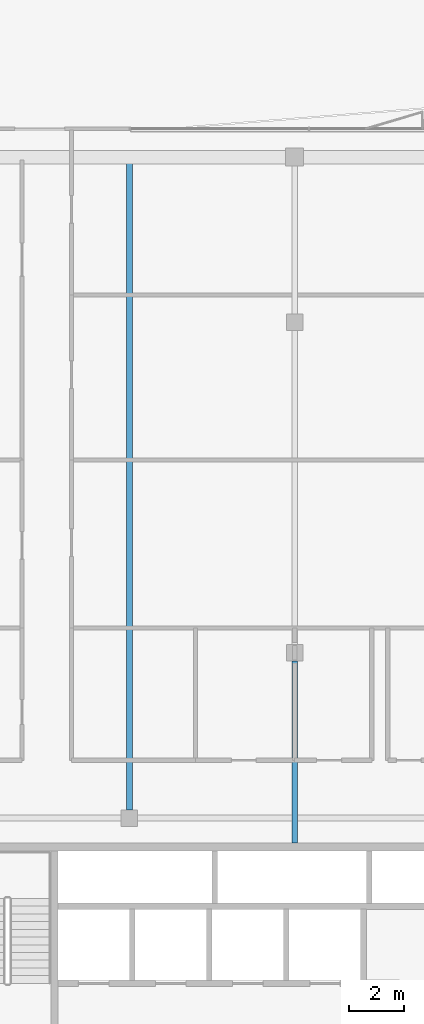
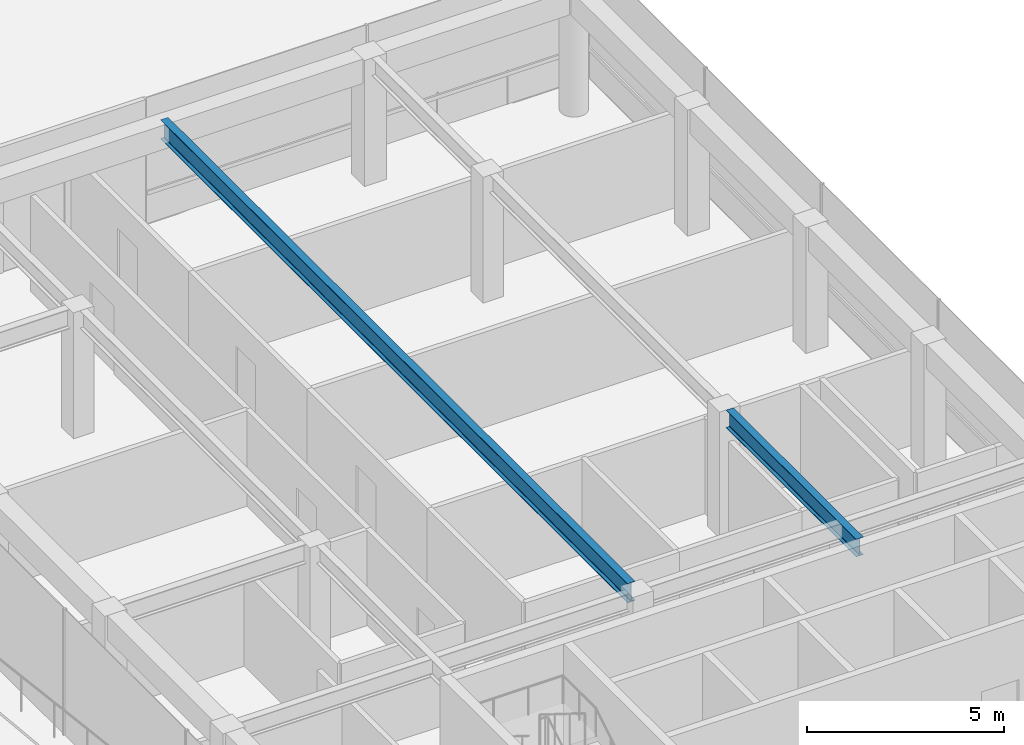
# One storey, part 9 of 20: 2 beams.
"""IFC4 building model written with IfcOpenShell, lengths in metres."""

from ifc_helpers import new_model, si_unit, direction, frame, origin, origin_2d, place, context, subcontext, project, spatial, i_section, extrude, material, material_profile, profile_set, type_object, element, save


model = new_model("IFC4")

# Units and contexts
model_context = context("Model", 3, precision=1e-05, world=origin(), true_north=direction((0.0, 1.0)))
body_context = subcontext(model_context, "Body", "Model", "MODEL_VIEW")
ifc_project = project(units=[si_unit("LENGTHUNIT", "METRE"), si_unit("AREAUNIT", "SQUARE_METRE"), si_unit("VOLUMEUNIT", "CUBIC_METRE"), si_unit("PLANEANGLEUNIT", "RADIAN"), si_unit("MASSUNIT", "GRAM", prefix="KILO")], contexts=[model_context])

# Site, building, storey
site_placement = place(None, origin())
site = spatial("IfcSite", under=ifc_project, at=site_placement, CompositionType="ELEMENT")
building_placement = place(site_placement, origin())
building = spatial("IfcBuilding", under=site, at=building_placement, Name="Welwitschia Terrace Campus", CompositionType="ELEMENT")
storey_placement = place(building_placement, frame((0.0, 0.0, 314.60009765625)))
storey = spatial("IfcBuildingStorey", under=building, at=storey_placement, Name="L70", CompositionType="ELEMENT", Elevation=314.60009765625)

# Beams
ifc_material_1 = material(Name="Steel S355", Category="steel")
ifc_material_profile_1 = material_profile(ifc_material_1, i_section(OverallWidth=0.2099609375, OverallDepth=0.550048828125, WebThickness=0.010986328125, FlangeThickness=0.01708984375, FilletRadius=0.02392578125, at=origin_2d()))
ifc_profile_set_1 = profile_set([ifc_material_profile_1], Name="Steel S355")
beam_type_1 = type_object("IfcBeamType", Name="Interior girder IPE 550", PredefinedType="BEAM", material=ifc_profile_set_1)
beam_1_placement = place(storey_placement, frame((18.0, 25.10107421875, 3.625), z_axis=(0.0, 1.0, 0.0), x_axis=(-1.0, 0.0, 0.0)))
element("IfcBeam", 1, at=beam_1_placement, inside=storey, type_object=beam_type_1, Name="Girder GB7", PredefinedType="BEAM", context=body_context, shape_type="SweptSolid", body=[
    extrude(i_section(OverallWidth=0.2099609375, OverallDepth=0.550048828125, WebThickness=0.010986328125, FlangeThickness=0.01708984375, FilletRadius=0.02392578125, at=origin_2d()), origin(), (0.0, 0.0, 1.0), 6.598388671875),
])
ifc_material_2 = material(Name="Steel S355", Category="steel")
ifc_material_profile_2 = material_profile(ifc_material_2, i_section(OverallWidth=0.219970703125, OverallDepth=0.60009765625, WebThickness=0.011962890625, FlangeThickness=0.01904296875, FilletRadius=0.02392578125, at=origin_2d()))
ifc_profile_set_2 = profile_set([ifc_material_profile_2], Name="Steel S355")
beam_type_2 = type_object("IfcBeamType", Name="Primary beam IPE 600", PredefinedType="BEAM", material=ifc_profile_set_2)
beam_2_placement = place(storey_placement, frame((12.0, 50.0, 3.599853515625), z_axis=(0.0, -1.0, 0.0), x_axis=(1.0, 0.0, 0.0)))
element("IfcBeam", 2, at=beam_2_placement, inside=storey, type_object=beam_type_2, Name="Primary beam PB7", PredefinedType="BEAM", context=body_context, shape_type="SweptSolid", body=[
    extrude(i_section(OverallWidth=0.219970703125, OverallDepth=0.60009765625, WebThickness=0.011962890625, FlangeThickness=0.01904296875, FilletRadius=0.02392578125, at=origin_2d()), origin(), (0.0, 0.0, 1.0), 23.699462890625),
])

save(model, "model.ifc")
